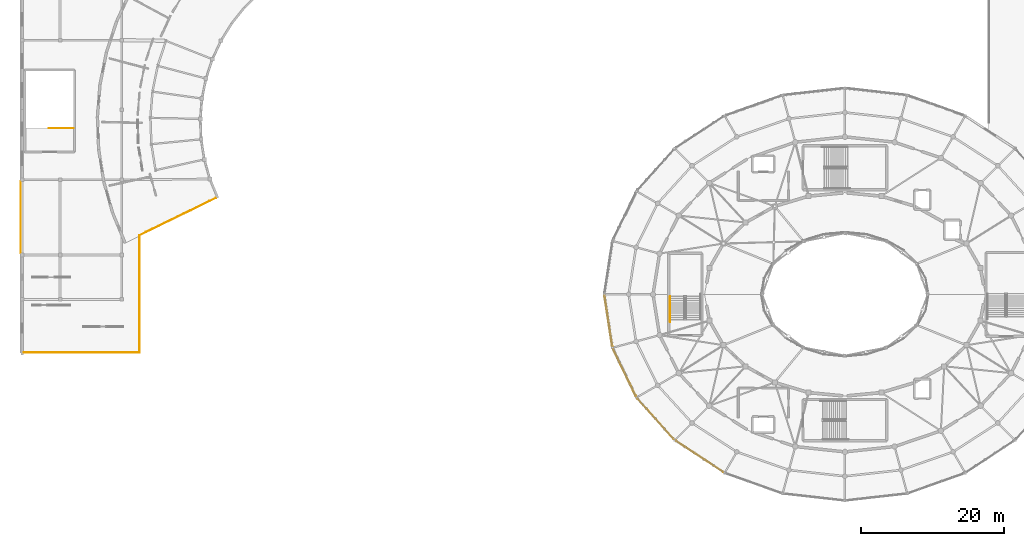
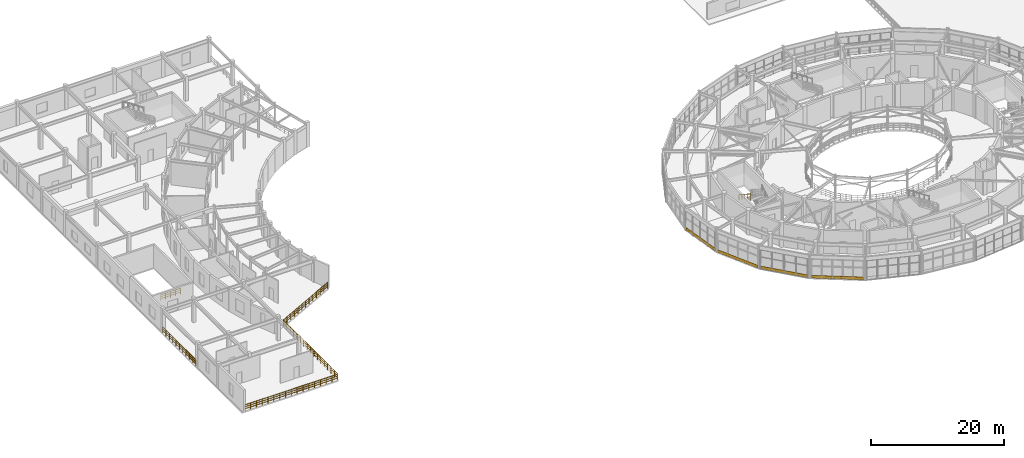
# One storey, part 54 of 60: 6 railings, 4 coverings.
"""IFC4 building model written with IfcOpenShell, lengths in metres."""

from ifc_helpers import new_model, si_unit, direction, frame, origin, origin_2d, place, context, subcontext, project, spatial, rectangle, circle, extrude, material, layer, layer_set, type_object, element, save


model = new_model("IFC4")

# Units and contexts
model_context = context("Model", 3, precision=1e-05, world=origin(), true_north=direction((0.0, 1.0)))
body_context = subcontext(model_context, "Body", "Model", "MODEL_VIEW")
ifc_project = project(units=[si_unit("LENGTHUNIT", "METRE"), si_unit("AREAUNIT", "SQUARE_METRE"), si_unit("VOLUMEUNIT", "CUBIC_METRE"), si_unit("PLANEANGLEUNIT", "RADIAN"), si_unit("MASSUNIT", "GRAM", prefix="KILO")], contexts=[model_context])

# Site, building, storey
site_placement = place(None, origin())
site = spatial("IfcSite", under=ifc_project, at=site_placement, CompositionType="ELEMENT")
building_placement = place(site_placement, origin())
building = spatial("IfcBuilding", under=site, at=building_placement, Name="Cinderbank Siding Concert Hall", CompositionType="ELEMENT")
storey_placement = place(building_placement, frame((0.0, 0.0, 14.699951171875)))
storey = spatial("IfcBuildingStorey", under=building, at=storey_placement, Name="L04", CompositionType="ELEMENT", Elevation=14.699951171875)

# Coverings
ifc_material_1 = material(Name="Spotted gum glulam timber GL18 (42 MPa)", Category="wood")
ifc_layer = layer(ifc_material_1, 0.06494140625)
ifc_layer_set = layer_set([ifc_layer], Name="Spotted gum glulam timber GL18 (42 MPa)")
covering_type = type_object("IfcCoveringType", Name="CL-01 Spotted Gum Spandrel Band 520mm", PredefinedType="CLADDING", material=ifc_layer_set)
covering_1_placement = place(storey_placement, frame((88.972412109375, 40.27294921875, 0.0), z_axis=(0.0, 0.0, 1.0), x_axis=(0.151815048473, -0.988408918949, 0.0)))
element("IfcCovering", 1, at=covering_1_placement, inside=storey, type_object=covering_type, Name="CW-L04-060 Spotted Gum Spandrel Band", PredefinedType="CLADDING", context=body_context, shape_type="SweptSolid", body=[
    extrude(rectangle(XDim=7.08740234375, YDim=0.06494140625, at=origin_2d()), origin(), (0.0, 0.0, 1.0), 0.52001953125),
])
covering_2_placement = place(storey_placement, frame((91.22314453125, 33.072998046875, 0.0), z_axis=(0.0, 0.0, 1.0), x_axis=(0.435102109714, -0.900381116041, 0.0)))
element("IfcCovering", 2, at=covering_2_placement, inside=storey, type_object=covering_type, Name="CW-L04-061 Spotted Gum Spandrel Band", PredefinedType="CLADDING", context=body_context, shape_type="SweptSolid", body=[
    extrude(rectangle(XDim=7.260498046875, YDim=0.06494140625, at=origin_2d()), origin(), (0.0, 0.0, 1.0), 0.52001953125),
])
covering_3_placement = place(storey_placement, frame((95.5712890625, 26.61767578125, 0.0), z_axis=(0.0, 0.0, 1.0), x_axis=(0.666993465338, -0.745063565877, 0.0)))
element("IfcCovering", 3, at=covering_3_placement, inside=storey, type_object=covering_type, Name="CW-L04-062 Spotted Gum Spandrel Band", PredefinedType="CLADDING", context=body_context, shape_type="SweptSolid", body=[
    extrude(rectangle(XDim=7.5517578125, YDim=0.06494140625, at=origin_2d()), origin(), (0.0, 0.0, 1.0), 0.52001953125),
])
covering_4_placement = place(storey_placement, frame((101.720703125, 21.346923828125, 0.0), z_axis=(0.0, 0.0, 1.0), x_axis=(0.835491932304, -0.549502712509, 0.0)))
element("IfcCovering", 4, at=covering_4_placement, inside=storey, type_object=covering_type, Name="CW-L04-063 Spotted Gum Spandrel Band", PredefinedType="CLADDING", context=body_context, shape_type="SweptSolid", body=[
    extrude(rectangle(XDim=7.875, YDim=0.06494140625, at=origin_2d()), origin(), (0.0, 0.0, 1.0), 0.52001953125),
])

# Railings
ifc_material_2 = material(Name="Structural steel AS/NZS 3679.1 Grade 350 (340 MPa)", Category="steel")
railing_type_1 = type_object("IfcRailingType", Name="GD-01 Terrace & Perimeter Guardrail 1120mm", PredefinedType="GUARDRAIL", material=ifc_material_2)
railing_1_placement = place(storey_placement, frame((6.89990234375, 49.736572265625, 0.0)))
element("IfcRailing", 5, at=railing_1_placement, inside=storey, type_object=railing_type_1, Name="L04 Perimeter Guardrail #87", PredefinedType="GUARDRAIL", context=body_context, shape_type="SweptSolid", body=[
    extrude(circle(Radius=0.02392578125, at=origin_2d()), frame((0.0, 0.0, 1.09619140625), z_axis=(0.0, 1.0, 0.0), x_axis=(-1.0, 0.0, 0.0)), (0.0, 0.0, 1.0), 10.02685546875),
    extrude(circle(Radius=0.01611328125, at=origin_2d()), frame((0.0, 0.0, 0.36962890625), z_axis=(0.0, 1.0, 0.0), x_axis=(-1.0, 0.0, 0.0)), (0.0, 0.0, 1.0), 10.02685546875),
    extrude(circle(Radius=0.01611328125, at=origin_2d()), frame((0.0, 0.0, 0.7392578125), z_axis=(0.0, 1.0, 0.0), x_axis=(-1.0, 0.0, 0.0)), (0.0, 0.0, 1.0), 10.02685546875),
    extrude(circle(Radius=0.02099609375, at=origin_2d()), origin(), (0.0, 0.0, 1.0), 1.072021484375),
    extrude(circle(Radius=0.02099609375, at=origin_2d()), frame((0.0, 1.002685546875, 0.0)), (0.0, 0.0, 1.0), 1.072021484375),
    extrude(circle(Radius=0.02099609375, at=origin_2d()), frame((0.0, 2.00537109375, 0.0)), (0.0, 0.0, 1.0), 1.072021484375),
    extrude(circle(Radius=0.02099609375, at=origin_2d()), frame((0.0, 3.008056640625, 0.0)), (0.0, 0.0, 1.0), 1.072021484375),
    extrude(circle(Radius=0.02099609375, at=origin_2d()), frame((0.0, 4.0107421875, 0.0)), (0.0, 0.0, 1.0), 1.072021484375),
    extrude(circle(Radius=0.02099609375, at=origin_2d()), frame((0.0, 5.013427734375, 0.0)), (0.0, 0.0, 1.0), 1.072021484375),
    extrude(circle(Radius=0.02099609375, at=origin_2d()), frame((0.0, 6.01611328125, 0.0)), (0.0, 0.0, 1.0), 1.072021484375),
    extrude(circle(Radius=0.02099609375, at=origin_2d()), frame((0.0, 7.018798828125, 0.0)), (0.0, 0.0, 1.0), 1.072021484375),
    extrude(circle(Radius=0.02099609375, at=origin_2d()), frame((0.0, 8.021484375, 0.0)), (0.0, 0.0, 1.0), 1.072021484375),
    extrude(circle(Radius=0.02099609375, at=origin_2d()), frame((0.0, 9.024169921875, 0.0)), (0.0, 0.0, 1.0), 1.072021484375),
    extrude(circle(Radius=0.02099609375, at=origin_2d()), frame((0.0, 10.02685546875, 0.0)), (0.0, 0.0, 1.0), 1.072021484375),
])
railing_2_placement = place(storey_placement, frame((34.15625, 57.45751953125, 0.0)))
element("IfcRailing", 6, at=railing_2_placement, inside=storey, type_object=railing_type_1, Name="L04 Perimeter Guardrail #92", PredefinedType="GUARDRAIL", context=body_context, shape_type="SweptSolid", body=[
    extrude(circle(Radius=0.02392578125, at=origin_2d()), frame((0.0, 0.0, 1.09619140625), z_axis=(-0.898790411729, -0.438378598683, 0.0), x_axis=(0.438378598683, -0.898790411729, 0.0)), (0.0, 0.0, 1.0), 11.856201171875),
    extrude(circle(Radius=0.01611328125, at=origin_2d()), frame((0.0, 0.0, 0.36962890625), z_axis=(-0.898790411729, -0.438378598683, 0.0), x_axis=(0.438378598683, -0.898790411729, 0.0)), (0.0, 0.0, 1.0), 11.856201171875),
    extrude(circle(Radius=0.01611328125, at=origin_2d()), frame((0.0, 0.0, 0.7392578125), z_axis=(-0.898790411729, -0.438378598683, 0.0), x_axis=(0.438378598683, -0.898790411729, 0.0)), (0.0, 0.0, 1.0), 11.856201171875),
    extrude(circle(Radius=0.02099609375, at=origin_2d()), origin(), (0.0, 0.0, 1.0), 1.072021484375),
    extrude(circle(Radius=0.02099609375, at=origin_2d()), frame((-0.887939453125, -0.43310546875, 0.0)), (0.0, 0.0, 1.0), 1.072021484375),
    extrude(circle(Radius=0.02099609375, at=origin_2d()), frame((-1.776123046875, -0.8662109375, 0.0)), (0.0, 0.0, 1.0), 1.072021484375),
    extrude(circle(Radius=0.02099609375, at=origin_2d()), frame((-2.6640625, -1.29931640625, 0.0)), (0.0, 0.0, 1.0), 1.072021484375),
    extrude(circle(Radius=0.02099609375, at=origin_2d()), frame((-3.552001953125, -1.732421875, 0.0)), (0.0, 0.0, 1.0), 1.072021484375),
    extrude(circle(Radius=0.02099609375, at=origin_2d()), frame((-4.440185546875, -2.16552734375, 0.0)), (0.0, 0.0, 1.0), 1.072021484375),
    extrude(circle(Radius=0.02099609375, at=origin_2d()), frame((-5.328125, -2.5986328125, 0.0)), (0.0, 0.0, 1.0), 1.072021484375),
    extrude(circle(Radius=0.02099609375, at=origin_2d()), frame((-6.216064453125, -3.031982421875, 0.0)), (0.0, 0.0, 1.0), 1.072021484375),
    extrude(circle(Radius=0.02099609375, at=origin_2d()), frame((-7.104248046875, -3.465087890625, 0.0)), (0.0, 0.0, 1.0), 1.072021484375),
    extrude(circle(Radius=0.02099609375, at=origin_2d()), frame((-7.9921875, -3.898193359375, 0.0)), (0.0, 0.0, 1.0), 1.072021484375),
    extrude(circle(Radius=0.02099609375, at=origin_2d()), frame((-8.880126953125, -4.331298828125, 0.0)), (0.0, 0.0, 1.0), 1.072021484375),
    extrude(circle(Radius=0.02099609375, at=origin_2d()), frame((-9.768310546875, -4.764404296875, 0.0)), (0.0, 0.0, 1.0), 1.072021484375),
    extrude(circle(Radius=0.02099609375, at=origin_2d()), frame((-10.65625, -5.197509765625, 0.0)), (0.0, 0.0, 1.0), 1.072021484375),
])
railing_3_placement = place(storey_placement, frame((23.5, 52.260009765625, 0.0)))
element("IfcRailing", 7, at=railing_3_placement, inside=storey, type_object=railing_type_1, Name="L04 Perimeter Guardrail #93", PredefinedType="GUARDRAIL", context=body_context, shape_type="SweptSolid", body=[
    extrude(circle(Radius=0.02392578125, at=origin_2d()), frame((0.0, 0.0, 1.09619140625), z_axis=(0.0, -1.0, 0.0), x_axis=(1.0, 0.0, 0.0)), (0.0, 0.0, 1.0), 16.360107421875),
    extrude(circle(Radius=0.01611328125, at=origin_2d()), frame((0.0, 0.0, 0.36962890625), z_axis=(0.0, -1.0, 0.0), x_axis=(1.0, 0.0, 0.0)), (0.0, 0.0, 1.0), 16.360107421875),
    extrude(circle(Radius=0.01611328125, at=origin_2d()), frame((0.0, 0.0, 0.7392578125), z_axis=(0.0, -1.0, 0.0), x_axis=(1.0, 0.0, 0.0)), (0.0, 0.0, 1.0), 16.360107421875),
    extrude(circle(Radius=0.02099609375, at=origin_2d()), origin(), (0.0, 0.0, 1.0), 1.072021484375),
    extrude(circle(Radius=0.02099609375, at=origin_2d()), frame((0.0, -1.0224609375, 0.0)), (0.0, 0.0, 1.0), 1.072021484375),
    extrude(circle(Radius=0.02099609375, at=origin_2d()), frame((0.0, -2.044921875, 0.0)), (0.0, 0.0, 1.0), 1.072021484375),
    extrude(circle(Radius=0.02099609375, at=origin_2d()), frame((0.0, -3.067626953125, 0.0)), (0.0, 0.0, 1.0), 1.072021484375),
    extrude(circle(Radius=0.02099609375, at=origin_2d()), frame((0.0, -4.090087890625, 0.0)), (0.0, 0.0, 1.0), 1.072021484375),
    extrude(circle(Radius=0.02099609375, at=origin_2d()), frame((0.0, -5.112548828125, 0.0)), (0.0, 0.0, 1.0), 1.072021484375),
    extrude(circle(Radius=0.02099609375, at=origin_2d()), frame((0.0, -6.135009765625, 0.0)), (0.0, 0.0, 1.0), 1.072021484375),
    extrude(circle(Radius=0.02099609375, at=origin_2d()), frame((0.0, -7.157470703125, 0.0)), (0.0, 0.0, 1.0), 1.072021484375),
    extrude(circle(Radius=0.02099609375, at=origin_2d()), frame((0.0, -8.18017578125, 0.0)), (0.0, 0.0, 1.0), 1.072021484375),
    extrude(circle(Radius=0.02099609375, at=origin_2d()), frame((0.0, -9.20263671875, 0.0)), (0.0, 0.0, 1.0), 1.072021484375),
    extrude(circle(Radius=0.02099609375, at=origin_2d()), frame((0.0, -10.22509765625, 0.0)), (0.0, 0.0, 1.0), 1.072021484375),
    extrude(circle(Radius=0.02099609375, at=origin_2d()), frame((0.0, -11.24755859375, 0.0)), (0.0, 0.0, 1.0), 1.072021484375),
    extrude(circle(Radius=0.02099609375, at=origin_2d()), frame((0.0, -12.27001953125, 0.0)), (0.0, 0.0, 1.0), 1.072021484375),
    extrude(circle(Radius=0.02099609375, at=origin_2d()), frame((0.0, -13.29248046875, 0.0)), (0.0, 0.0, 1.0), 1.072021484375),
    extrude(circle(Radius=0.02099609375, at=origin_2d()), frame((0.0, -14.315185546875, 0.0)), (0.0, 0.0, 1.0), 1.072021484375),
    extrude(circle(Radius=0.02099609375, at=origin_2d()), frame((0.0, -15.337646484375, 0.0)), (0.0, 0.0, 1.0), 1.072021484375),
    extrude(circle(Radius=0.02099609375, at=origin_2d()), frame((0.0, -16.360107421875, 0.0)), (0.0, 0.0, 1.0), 1.072021484375),
])
railing_4_placement = place(storey_placement, frame((23.5, 35.89990234375, 0.0)))
element("IfcRailing", 8, at=railing_4_placement, inside=storey, type_object=railing_type_1, Name="L04 Perimeter Guardrail #94", PredefinedType="GUARDRAIL", context=body_context, shape_type="SweptSolid", body=[
    extrude(circle(Radius=0.02392578125, at=origin_2d()), frame((0.0, 0.0, 1.09619140625), z_axis=(-1.0, 0.0, 0.0), x_axis=(0.0, -1.0, 0.0)), (0.0, 0.0, 1.0), 16.139892578125),
    extrude(circle(Radius=0.01611328125, at=origin_2d()), frame((0.0, 0.0, 0.36962890625), z_axis=(-1.0, 0.0, 0.0), x_axis=(0.0, -1.0, 0.0)), (0.0, 0.0, 1.0), 16.139892578125),
    extrude(circle(Radius=0.01611328125, at=origin_2d()), frame((0.0, 0.0, 0.7392578125), z_axis=(-1.0, 0.0, 0.0), x_axis=(0.0, -1.0, 0.0)), (0.0, 0.0, 1.0), 16.139892578125),
    extrude(circle(Radius=0.02099609375, at=origin_2d()), origin(), (0.0, 0.0, 1.0), 1.072021484375),
    extrude(circle(Radius=0.02099609375, at=origin_2d()), frame((-1.0087890625, 0.0, 0.0)), (0.0, 0.0, 1.0), 1.072021484375),
    extrude(circle(Radius=0.02099609375, at=origin_2d()), frame((-2.017578125, 0.0, 0.0)), (0.0, 0.0, 1.0), 1.072021484375),
    extrude(circle(Radius=0.02099609375, at=origin_2d()), frame((-3.026123046875, 0.0, 0.0)), (0.0, 0.0, 1.0), 1.072021484375),
    extrude(circle(Radius=0.02099609375, at=origin_2d()), frame((-4.034912109375, 0.0, 0.0)), (0.0, 0.0, 1.0), 1.072021484375),
    extrude(circle(Radius=0.02099609375, at=origin_2d()), frame((-5.043701171875, 0.0, 0.0)), (0.0, 0.0, 1.0), 1.072021484375),
    extrude(circle(Radius=0.02099609375, at=origin_2d()), frame((-6.052490234375, 0.0, 0.0)), (0.0, 0.0, 1.0), 1.072021484375),
    extrude(circle(Radius=0.02099609375, at=origin_2d()), frame((-7.061279296875, 0.0, 0.0)), (0.0, 0.0, 1.0), 1.072021484375),
    extrude(circle(Radius=0.02099609375, at=origin_2d()), frame((-8.06982421875, 0.0, 0.0)), (0.0, 0.0, 1.0), 1.072021484375),
    extrude(circle(Radius=0.02099609375, at=origin_2d()), frame((-9.07861328125, 0.0, 0.0)), (0.0, 0.0, 1.0), 1.072021484375),
    extrude(circle(Radius=0.02099609375, at=origin_2d()), frame((-10.08740234375, 0.0, 0.0)), (0.0, 0.0, 1.0), 1.072021484375),
    extrude(circle(Radius=0.02099609375, at=origin_2d()), frame((-11.09619140625, 0.0, 0.0)), (0.0, 0.0, 1.0), 1.072021484375),
    extrude(circle(Radius=0.02099609375, at=origin_2d()), frame((-12.10498046875, 0.0, 0.0)), (0.0, 0.0, 1.0), 1.072021484375),
    extrude(circle(Radius=0.02099609375, at=origin_2d()), frame((-13.11376953125, 0.0, 0.0)), (0.0, 0.0, 1.0), 1.072021484375),
    extrude(circle(Radius=0.02099609375, at=origin_2d()), frame((-14.122314453125, 0.0, 0.0)), (0.0, 0.0, 1.0), 1.072021484375),
    extrude(circle(Radius=0.02099609375, at=origin_2d()), frame((-15.131103515625, 0.0, 0.0)), (0.0, 0.0, 1.0), 1.072021484375),
    extrude(circle(Radius=0.02099609375, at=origin_2d()), frame((-16.139892578125, 0.0, 0.0)), (0.0, 0.0, 1.0), 1.072021484375),
])
railing_type_2 = type_object("IfcRailingType", Name="STG-01 Stair Well Guardrail 1120mm", PredefinedType="GUARDRAIL", material=ifc_material_2)
railing_5_placement = place(storey_placement, frame((14.260009765625, 67.199951171875, 0.0)))
element("IfcRailing", 9, at=railing_5_placement, inside=storey, type_object=railing_type_2, Name="L04 ST-09 top well guard 1", PredefinedType="GUARDRAIL", context=body_context, shape_type="SweptSolid", body=[
    extrude(circle(Radius=0.02392578125, at=origin_2d()), frame((0.0, 0.0, 1.09619140625), z_axis=(-1.0, 0.0, 0.0), x_axis=(0.0, -1.0, 0.0)), (0.0, 0.0, 1.0), 3.409912109375),
    extrude(circle(Radius=0.01611328125, at=origin_2d()), frame((0.0, 0.0, 0.36962890625), z_axis=(-1.0, 0.0, 0.0), x_axis=(0.0, -1.0, 0.0)), (0.0, 0.0, 1.0), 3.409912109375),
    extrude(circle(Radius=0.01611328125, at=origin_2d()), frame((0.0, 0.0, 0.7392578125), z_axis=(-1.0, 0.0, 0.0), x_axis=(0.0, -1.0, 0.0)), (0.0, 0.0, 1.0), 3.409912109375),
    extrude(circle(Radius=0.02099609375, at=origin_2d()), origin(), (0.0, 0.0, 1.0), 1.072021484375),
    extrude(circle(Radius=0.02099609375, at=origin_2d()), frame((-0.8525390625, 0.0, 0.0)), (0.0, 0.0, 1.0), 1.072021484375),
    extrude(circle(Radius=0.02099609375, at=origin_2d()), frame((-1.705078125, 0.0, 0.0)), (0.0, 0.0, 1.0), 1.072021484375),
    extrude(circle(Radius=0.02099609375, at=origin_2d()), frame((-2.557373046875, 0.0, 0.0)), (0.0, 0.0, 1.0), 1.072021484375),
    extrude(circle(Radius=0.02099609375, at=origin_2d()), frame((-3.409912109375, 0.0, 0.0)), (0.0, 0.0, 1.0), 1.072021484375),
])
railing_type_3 = type_object("IfcRailingType", Name="STH-01 Stair Pitch Handrail 920mm", PredefinedType="HANDRAIL", material=ifc_material_2)
railing_6_placement = place(storey_placement, frame((97.590087890625, 43.68994140625, 2.4375)))
element("IfcRailing", 10, at=railing_6_placement, inside=storey, type_object=railing_type_3, Name="L04 ST-04 stair handrail 2", PredefinedType="HANDRAIL", context=body_context, shape_type="SweptSolid", body=[
    extrude(circle(Radius=0.02392578125, at=origin_2d()), frame((0.0, 0.0, 0.89599609375), z_axis=(0.0, -0.839762940478, 0.542953224319), x_axis=(1.0, 0.0, 0.0)), (0.0, 0.0, 1.0), 4.14404296875),
    extrude(circle(Radius=0.02392578125, at=origin_2d()), frame((0.0, -3.47998046875, 3.14599609375), z_axis=(0.0, -1.0, 0.0), x_axis=(1.0, 0.0, 0.0)), (0.0, 0.0, 1.0), 0.06005859375),
    extrude(circle(Radius=0.02099609375, at=origin_2d()), origin(), (0.0, 0.0, 1.0), 0.871826171875),
    extrude(circle(Radius=0.02099609375, at=origin_2d()), frame((0.0, -0.8701171875, 0.5625)), (0.0, 0.0, 1.0), 0.871826171875),
    extrude(circle(Radius=0.02099609375, at=origin_2d()), frame((0.0, -1.739990234375, 1.125)), (0.0, 0.0, 1.0), 0.871826171875),
    extrude(circle(Radius=0.02099609375, at=origin_2d()), frame((0.0, -2.60986328125, 1.6875)), (0.0, 0.0, 1.0), 0.871826171875),
    extrude(circle(Radius=0.02099609375, at=origin_2d()), frame((0.0, -3.47998046875, 2.25)), (0.0, 0.0, 1.0), 0.871826171875),
    extrude(circle(Radius=0.02099609375, at=origin_2d()), frame((0.0, -3.5400390625, 2.0625)), (0.0, 0.0, 1.0), 1.059326171875),
])

save(model, "model.ifc")
